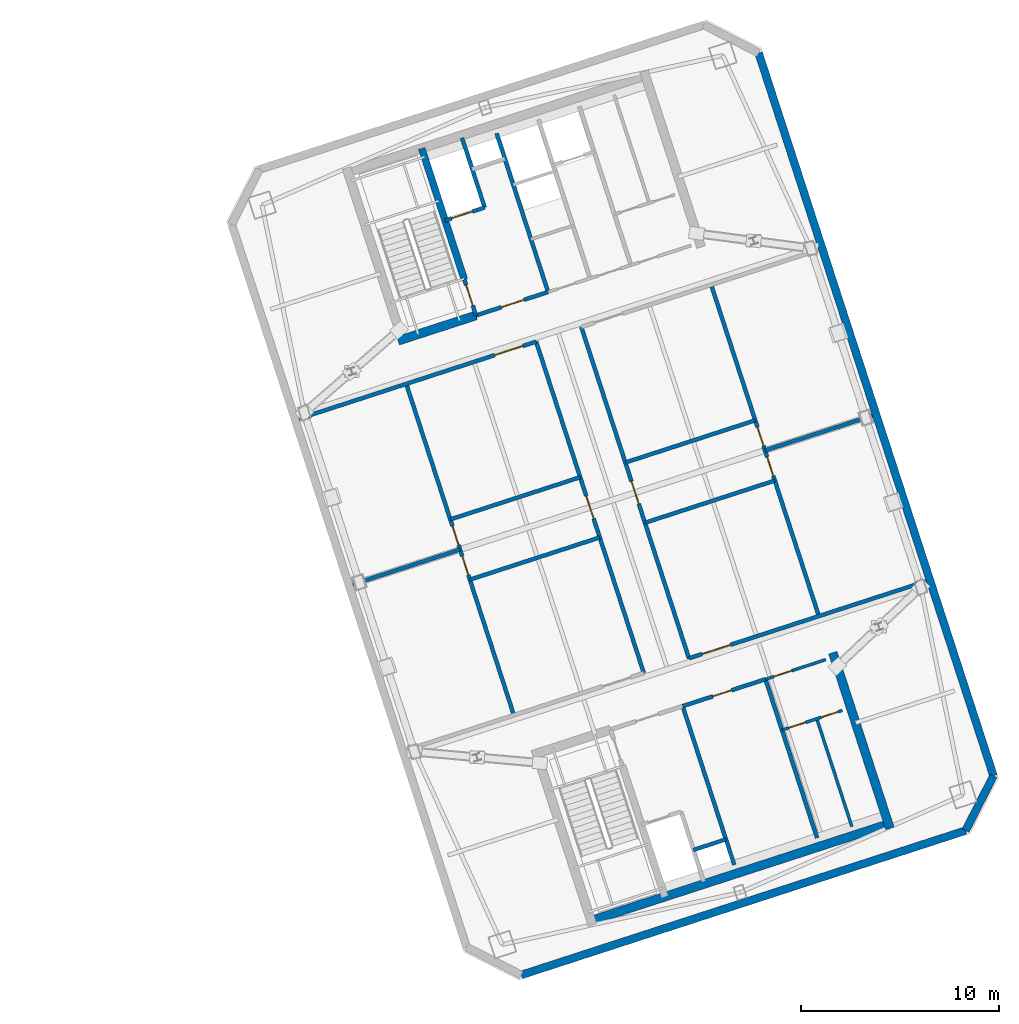
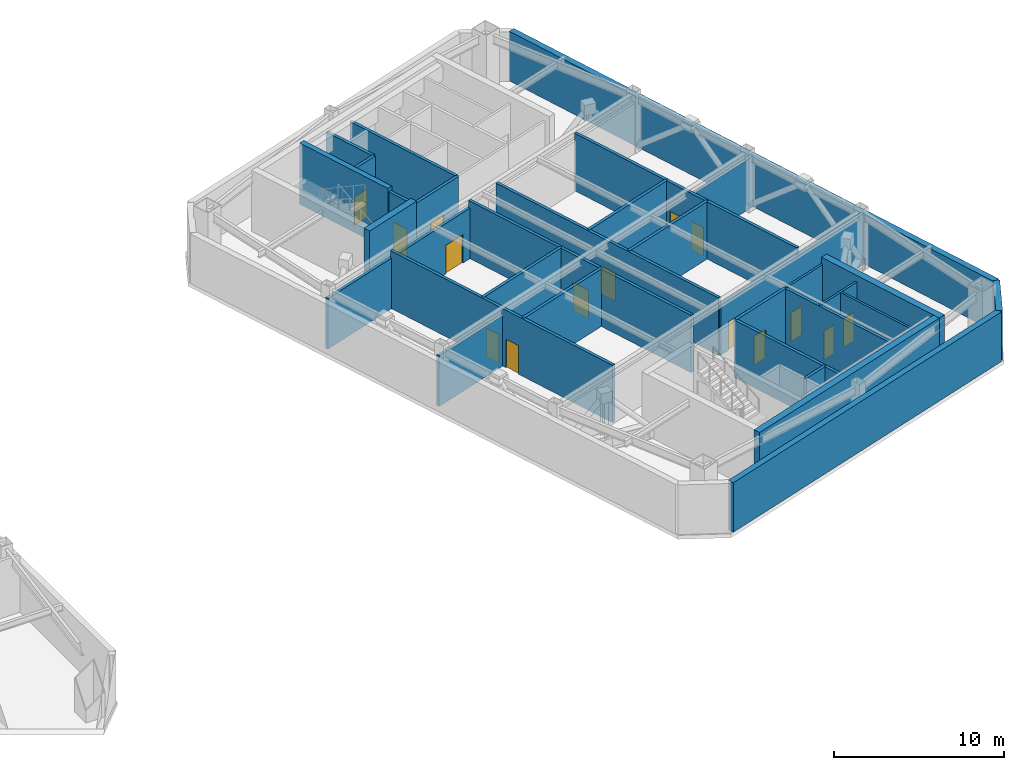
# One storey, part 13 of 17: 31 walls, 15 doors, 15 openings.
"""IFC4 building model written with IfcOpenShell, lengths in metres."""

from ifc_helpers import new_model, si_unit, direction, frame, frame_2d, origin, place, context, subcontext, project, spatial, rectangle, extrude, material, layer, layer_set, type_object, element, fill, save


model = new_model("IFC4")

# Units and contexts
model_context = context("Model", 3, precision=1e-05, world=origin(), true_north=direction((0.0, 1.0)))
body_context = subcontext(model_context, "Body", "Model", "MODEL_VIEW")
ifc_project = project(units=[si_unit("LENGTHUNIT", "METRE"), si_unit("AREAUNIT", "SQUARE_METRE"), si_unit("VOLUMEUNIT", "CUBIC_METRE"), si_unit("PLANEANGLEUNIT", "RADIAN"), si_unit("MASSUNIT", "GRAM", prefix="KILO")], contexts=[model_context])

# Site, building, storey
site_placement = place(None, origin())
site = spatial("IfcSite", under=ifc_project, at=site_placement, CompositionType="ELEMENT")
building_placement = place(site_placement, origin())
building = spatial("IfcBuilding", under=site, at=building_placement, Name="Qiaolan Cultural Towers", CompositionType="ELEMENT")
storey_placement = place(building_placement, frame((0.0, 0.0, 230.0)))
storey = spatial("IfcBuildingStorey", under=building, at=storey_placement, Name="L62", CompositionType="ELEMENT", Elevation=230.0)

# Walls
ifc_material_1 = material(Name="Concrete C50", Category="concrete")
ifc_layer_1 = layer(ifc_material_1, 0.35009765625)
ifc_layer_set_1 = layer_set([ifc_layer_1], Name="Concrete C50")
wall_type_1 = type_object("IfcWallType", Name="WL-CORE-350", PredefinedType="SHEAR", material=ifc_layer_set_1)
wall_1_placement = place(storey_placement, frame((82.513671875, 45.13134765625, 0.0), z_axis=(0.0, 0.0, 1.0), x_axis=(-0.308988790936, 0.951065679686, 0.0)))
element("IfcWall", 1, at=wall_1_placement, inside=storey, type_object=wall_type_1, Name="L62 T2-CN Stair Core Dividing Web", PredefinedType="SHEAR", context=body_context, shape_type="SweptSolid", body=[
    extrude(rectangle(XDim=6.97998046875, YDim=0.35009765625, at=frame_2d((3.489990234375, 0.0))), origin(), (0.0, 0.0, 1.0), 4.39990234375),
])
ifc_material_2 = material(Name="Concrete C50", Category="concrete")
ifc_layer_2 = layer(ifc_material_2, 0.449951171875)
ifc_layer_set_2 = layer_set([ifc_layer_2], Name="Concrete C50")
wall_type_2 = type_object("IfcWallType", Name="WL-CORE-450", PredefinedType="SHEAR", material=ifc_layer_set_2)
wall_2_placement = place(storey_placement, frame((88.701171875, 12.675048828125, 0.0), z_axis=(0.0, 0.0, 1.0), x_axis=(0.95105824505, 0.309011673763, 0.0)))
element("IfcWall", 2, at=wall_2_placement, inside=storey, type_object=wall_type_2, Name="L62 T2-CS Outer Core Shear Wall", PredefinedType="SHEAR", context=body_context, shape_type="SweptSolid", body=[
    extrude(rectangle(XDim=16.250244140625, YDim=0.449951171875, at=frame_2d((8.125, 0.0))), origin(), (0.0, 0.0, 1.0), 4.39990234375),
])
wall_3_placement = place(storey_placement, frame((101.12841796875, 26.286376953125, 0.0), z_axis=(0.0, 0.0, 1.0), x_axis=(0.309004419953, -0.951060601881, 0.0)))
element("IfcWall", 3, at=wall_3_placement, inside=storey, type_object=wall_type_2, Name="L62 T2-CS East Core Shear Wall", PredefinedType="SHEAR", context=body_context, shape_type="SweptSolid", body=[
    extrude(rectangle(XDim=9.330078125, YDim=0.449951171875, at=frame_2d((4.6650390625, 0.0))), origin(), (0.0, 0.0, 1.0), 4.39990234375),
])
wall_4_placement = place(storey_placement, frame((79.15869140625, 42.04345703125, 0.0), z_axis=(0.0, 0.0, 1.0), x_axis=(0.951047485828, 0.309044785913, 0.0)))
element("IfcWall", 4, at=wall_4_placement, inside=storey, type_object=wall_type_2, Name="L62 T2-CN Stair Front Shear Wall", PredefinedType="SHEAR", context=body_context, shape_type="SweptSolid", body=[
    extrude(rectangle(XDim=4.14501953125, YDim=0.449951171875, at=frame_2d((2.072509765625, 0.0))), origin(), (0.0, 0.0, 1.0), 4.39990234375),
])
ifc_material_3 = material(Name="Precast Concrete C50 Honed Stone Pier", Category="masonry")
ifc_layer_3 = layer(ifc_material_3, 0.39990234375)
ifc_layer_set_3 = layer_set([ifc_layer_3], Name="Precast Concrete C50 Honed Stone Pier")
wall_type_3 = type_object("IfcWallType", Name="WL-EXT-PIER-400", PredefinedType="SOLIDWALL", material=ifc_layer_set_3)
wall_5_placement = place(storey_placement, frame((97.381591796875, 56.58642578125, 0.0), z_axis=(0.0, 0.0, 1.0), x_axis=(0.309016491071, -0.951056679828, 0.0)))
element("IfcWall", 5, at=wall_5_placement, inside=storey, type_object=wall_type_3, Name="L62 East Tower Precast Pier Facade Wall F5", PredefinedType="SOLIDWALL", context=body_context, shape_type="SweptSolid", body=[
    extrude(rectangle(XDim=38.39990234375, YDim=0.39990234375, at=frame_2d((19.199951171875, 0.0))), origin(), (0.0, 0.0, 1.0), 3.56005859375),
])
wall_6_placement = place(storey_placement, frame((109.247802734375, 20.06591796875, 0.0), z_axis=(0.0, 0.0, 1.0), x_axis=(-0.453949291228, -0.891027519774, 0.0)))
element("IfcWall", 6, at=wall_6_placement, inside=storey, type_object=wall_type_3, Name="L62 East Tower Precast Pier Facade Wall F6", PredefinedType="SOLIDWALL", context=body_context, shape_type="SweptSolid", body=[
    extrude(rectangle(XDim=3.111328125, YDim=0.39990234375, at=frame_2d((1.5556640625, 0.0))), origin(), (0.0, 0.0, 1.0), 3.56005859375),
])
wall_7_placement = place(storey_placement, frame((107.83544921875, 17.293701171875, 0.0), z_axis=(0.0, 0.0, 1.0), x_axis=(-0.951058012937, -0.309012388148, 0.0)))
element("IfcWall", 7, at=wall_7_placement, inside=storey, type_object=wall_type_3, Name="L62 East Tower Precast Pier Facade Wall F7", PredefinedType="SOLIDWALL", context=body_context, shape_type="SweptSolid", body=[
    extrude(rectangle(XDim=23.60009765625, YDim=0.39990234375, at=frame_2d((11.800048828125, 0.0))), origin(), (0.0, 0.0, 1.0), 3.56005859375),
])
ifc_material_4 = material(Name="Concrete C35 Fire Wall", Category="concrete")
ifc_layer_4 = layer(ifc_material_4, 0.199951171875)
ifc_layer_set_4 = layer_set([ifc_layer_4], Name="Concrete C35 Fire Wall")
wall_type_4 = type_object("IfcWallType", Name="WL-FIRE-200", PredefinedType="PARTITIONING", material=ifc_layer_set_4)
wall_8_placement = place(storey_placement, frame((93.541748046875, 23.584716796875, 0.0), z_axis=(0.0, 0.0, 1.0), x_axis=(0.309042196757, -0.951048327176, 0.0)))
element("IfcWall", 8, at=wall_8_placement, inside=storey, type_object=wall_type_4, Name="L62 T2-CS Firefighting Zone Wall", PredefinedType="PARTITIONING", context=body_context, shape_type="SweptSolid", body=[
    extrude(rectangle(XDim=8.429931640625, YDim=0.199951171875, at=frame_2d((4.21484375, 0.0))), origin(), (0.0, 0.0, 1.0), 4.125),
])
wall_9_placement = place(storey_placement, frame((94.08447265625, 16.316650390625, 0.0), z_axis=(0.0, 0.0, 1.0), x_axis=(0.951041328149, 0.309063734775, 0.0)))
element("IfcWall", 9, at=wall_9_placement, inside=storey, type_object=wall_type_4, Name="L62 T2-CS Pressurization Shaft Front Wall", PredefinedType="PARTITIONING", context=body_context, shape_type="SweptSolid", body=[
    extrude(rectangle(XDim=1.72998046875, YDim=0.199951171875, at=frame_2d((0.864990234375, 0.0))), origin(), (0.0, 0.0, 1.0), 4.125),
])
wall_10_placement = place(storey_placement, frame((97.7265625, 24.9443359375, 0.0), z_axis=(0.0, 0.0, 1.0), x_axis=(0.309016001439, -0.951056838919, 0.0)))
element("IfcWall", 10, at=wall_10_placement, inside=storey, type_object=wall_type_4, Name="L62 T2-CS Lift Core East Wall", PredefinedType="PARTITIONING", context=body_context, shape_type="SweptSolid", body=[
    extrude(rectangle(XDim=8.429931640625, YDim=0.199951171875, at=frame_2d((4.21484375, 0.0))), origin(), (0.0, 0.0, 1.0), 4.125),
])

# Wall, opening, door
wall_11_placement = place(storey_placement, frame((93.541748046875, 23.584716796875, 0.0), z_axis=(0.0, 0.0, 1.0), x_axis=(0.951063829732, 0.308994485023, 0.0)))
wall_11 = element("IfcWall", 11, at=wall_11_placement, inside=storey, type_object=wall_type_4, Name="L62 T2-CS Refuge Core Riser Wall", PredefinedType="PARTITIONING", context=body_context, shape_type="SweptSolid", body=[
    extrude(rectangle(XDim=4.400146484375, YDim=0.199951171875, at=frame_2d((2.2001953125, 0.0))), origin(), (0.0, 0.0, 1.0), 4.125),
])
opening_1_placement = place(wall_11_placement, frame((1.60009765625, 0.0, 0.0)))
opening_1 = element("IfcOpeningElement", 12, at=opening_1_placement, cuts=wall_11, Name="Opening FD-07", PredefinedType="OPENING", context=body_context, shape_type="SweptSolid", body=[
    extrude(rectangle(XDim=1.0, YDim=2.050048828125, at=frame_2d((0.5, 1.02490234375))), frame((0.0, 0.10986328125, 0.0), z_axis=(0.0, -1.0, 0.0), x_axis=(1.0, 0.0, 0.0)), (0.0, 0.0, 1.0), 0.219970703125),
])
ifc_material_5 = material(Name="Painted Steel Riser Fire Door", Category="steel")
door_type_1 = type_object("IfcDoorType", Name="DR-FD60-1000", OperationType="NOTDEFINED", PredefinedType="DOOR", material=ifc_material_5)
door_1_placement = place(opening_1_placement, origin())
door_1 = element("IfcDoor", 13, at=door_1_placement, inside=storey, type_object=door_type_1, Name="L62 Core Plant Room Door", OperationType="SINGLE_SWING_LEFT", OverallHeight=2.050048828125, OverallWidth=1.0, PredefinedType="DOOR", context=body_context, shape_type="SweptSolid", body=[
    extrude(rectangle(XDim=1.0, YDim=2.050048828125, at=frame_2d((0.5, 1.02490234375))), frame((0.0, 0.02490234375, 0.0), z_axis=(0.0, -1.0, 0.0), x_axis=(1.0, 0.0, 0.0)), (0.0, 0.0, 1.0), 0.050048828125),
])
fill(opening_1, door_1)

wall_12_placement = place(storey_placement, frame((83.100830078125, 43.324462890625, 0.0), z_axis=(0.0, 0.0, 1.0), x_axis=(-0.309048298632, 0.951046344356, 0.0)))
wall_12 = element("IfcWall", 14, at=wall_12_placement, inside=storey, type_object=wall_type_4, Name="L62 T2-CN Smokeproof Stair Entry Wall", PredefinedType="PARTITIONING", context=body_context, shape_type="SweptSolid", body=[
    extrude(rectangle(XDim=1.89990234375, YDim=0.199951171875, at=frame_2d((0.949951171875, 0.0))), origin(), (0.0, 0.0, 1.0), 4.125),
])
opening_2_placement = place(wall_12_placement, frame((0.52001953125, 0.0, 0.0)))
opening_2 = element("IfcOpeningElement", 15, at=opening_2_placement, cuts=wall_12, Name="Opening FD-04", PredefinedType="OPENING", context=body_context, shape_type="SweptSolid", body=[
    extrude(rectangle(XDim=1.10009765625, YDim=2.050048828125, at=frame_2d((0.550048828125, 1.02490234375))), frame((0.0, 0.10986328125, 0.0), z_axis=(0.0, -1.0, 0.0), x_axis=(1.0, 0.0, 0.0)), (0.0, 0.0, 1.0), 0.219970703125),
])
ifc_material_6 = material(Name="Galvanized Steel Command Fire Door", Category="steel")
door_type_2 = type_object("IfcDoorType", Name="DR-FD90-1100", OperationType="NOTDEFINED", PredefinedType="DOOR", material=ifc_material_6)
door_2_placement = place(opening_2_placement, origin())
door_2 = element("IfcDoor", 16, at=door_2_placement, inside=storey, type_object=door_type_2, Name="L62 ST-E2 Smokeproof Stair Fire Door", OperationType="SINGLE_SWING_LEFT", OverallHeight=2.050048828125, OverallWidth=1.10009765625, PredefinedType="DOOR", context=body_context, shape_type="SweptSolid", body=[
    extrude(rectangle(XDim=1.10009765625, YDim=2.050048828125, at=frame_2d((0.550048828125, 1.02490234375))), frame((0.0, 0.02490234375, 0.0), z_axis=(0.0, -1.0, 0.0), x_axis=(1.0, 0.0, 0.0)), (0.0, 0.0, 1.0), 0.050048828125),
])
fill(opening_2, door_2)

# Wall
wall_13_placement = place(storey_placement, frame((86.743408203125, 44.508056640625, 0.0), z_axis=(0.0, 0.0, 1.0), x_axis=(-0.309016001439, 0.951056838919, 0.0)))
element("IfcWall", 17, at=wall_13_placement, inside=storey, type_object=wall_type_4, Name="L62 T2-CN Firefighting Zone Wall", PredefinedType="PARTITIONING", context=body_context, shape_type="SweptSolid", body=[
    extrude(rectangle(XDim=8.429931640625, YDim=0.199951171875, at=frame_2d((4.21484375, 0.0))), origin(), (0.0, 0.0, 1.0), 4.125),
])

# Wall, opening, door
wall_14_placement = place(storey_placement, frame((83.100830078125, 43.324462890625, 0.0), z_axis=(0.0, 0.0, 1.0), x_axis=(0.951052804469, 0.309028417967, 0.0)))
wall_14 = element("IfcWall", 18, at=wall_14_placement, inside=storey, type_object=wall_type_4, Name="L62 T2-CN Firefighting Lobby Front Wall", PredefinedType="PARTITIONING", context=body_context, shape_type="SweptSolid", body=[
    extrude(rectangle(XDim=3.830078125, YDim=0.199951171875, at=frame_2d((1.9150390625, 0.0))), origin(), (0.0, 0.0, 1.0), 4.125),
])
opening_3_placement = place(wall_14_placement, frame((1.35009765625, 0.0, 0.0)))
opening_3 = element("IfcOpeningElement", 19, at=opening_3_placement, cuts=wall_14, Name="Opening FD-03", PredefinedType="OPENING", context=body_context, shape_type="SweptSolid", body=[
    extrude(rectangle(XDim=1.199951171875, YDim=2.050048828125, at=frame_2d((0.60009765625, 1.02490234375))), frame((0.0, 0.10986328125, 0.0), z_axis=(0.0, -1.0, 0.0), x_axis=(1.0, 0.0, 0.0)), (0.0, 0.0, 1.0), 0.219970703125),
])
ifc_material_7 = material(Name="Galvanized Steel Smokeproof Lobby Fire Door", Category="steel")
door_type_3 = type_object("IfcDoorType", Name="DR-FD90-1200", OperationType="NOTDEFINED", PredefinedType="DOOR", material=ifc_material_7)
door_3_placement = place(opening_3_placement, origin())
door_3 = element("IfcDoor", 20, at=door_3_placement, inside=storey, type_object=door_type_3, Name="L62 FFL-E2 Firefighting Lobby Fire Door", OperationType="SINGLE_SWING_LEFT", OverallHeight=2.050048828125, OverallWidth=1.199951171875, PredefinedType="DOOR", context=body_context, shape_type="SweptSolid", body=[
    extrude(rectangle(XDim=1.199951171875, YDim=2.050048828125, at=frame_2d((0.60009765625, 1.02490234375))), frame((0.0, 0.02490234375, 0.0), z_axis=(0.0, -1.0, 0.0), x_axis=(1.0, 0.0, 0.0)), (0.0, 0.0, 1.0), 0.050048828125),
])
fill(opening_3, door_3)

wall_15_placement = place(storey_placement, frame((81.540283203125, 48.127197265625, 0.0), z_axis=(0.0, 0.0, 1.0), x_axis=(0.951062257173, 0.308999325213, 0.0)))
wall_15 = element("IfcWall", 21, at=wall_15_placement, inside=storey, type_object=wall_type_4, Name="L62 T2-CN Firefighting Shaft Front Wall", PredefinedType="PARTITIONING", context=body_context, shape_type="SweptSolid", body=[
    extrude(rectangle(XDim=2.10009765625, YDim=0.199951171875, at=frame_2d((1.050048828125, 0.0))), origin(), (0.0, 0.0, 1.0), 4.125),
])
opening_4_placement = place(wall_15_placement, frame((0.35009765625, 0.0, 0.0)))
opening_4 = element("IfcOpeningElement", 22, at=opening_4_placement, cuts=wall_15, Name="Opening LD-01", PredefinedType="OPENING", context=body_context, shape_type="SweptSolid", body=[
    extrude(rectangle(XDim=1.10009765625, YDim=2.050048828125, at=frame_2d((0.550048828125, 1.02490234375))), frame((0.0, 0.10986328125, 0.0), z_axis=(0.0, -1.0, 0.0), x_axis=(1.0, 0.0, 0.0)), (0.0, 0.0, 1.0), 0.219970703125),
])
ifc_material_8 = material(Name="Brushed Stainless Steel S30408 Centre-Parting Lift Landing Door", Category="steel")
door_type_4 = type_object("IfcDoorType", Name="DR-LIFT-1100", OperationType="NOTDEFINED", PredefinedType="DOOR", material=ifc_material_8)
door_4_placement = place(opening_4_placement, origin())
door_4 = element("IfcDoor", 23, at=door_4_placement, inside=storey, type_object=door_type_4, Name="L62 FFL-E2 Firefighting Lift Landing Door", OperationType="DOUBLE_DOOR_SLIDING", OverallHeight=2.050048828125, OverallWidth=1.10009765625, PredefinedType="DOOR", context=body_context, shape_type="SweptSolid", body=[
    extrude(rectangle(XDim=1.10009765625, YDim=2.050048828125, at=frame_2d((0.550048828125, 1.02490234375))), frame((0.0, 0.02490234375, 0.0), z_axis=(0.0, -1.0, 0.0), x_axis=(1.0, 0.0, 0.0)), (0.0, 0.0, 1.0), 0.050048828125),
])
fill(opening_4, door_4)

# Wall
wall_16_placement = place(storey_placement, frame((83.53759765625, 48.776123046875, 0.0), z_axis=(0.0, 0.0, 1.0), x_axis=(-0.3089935693, 0.951064127245, 0.0)))
element("IfcWall", 24, at=wall_16_placement, inside=storey, type_object=wall_type_4, Name="L62 T2-CN Firefighting Hoistway East Wall", PredefinedType="PARTITIONING", context=body_context, shape_type="SweptSolid", body=[
    extrude(rectangle(XDim=3.7001953125, YDim=0.199951171875, at=frame_2d((1.85009765625, 0.0))), origin(), (0.0, 0.0, 1.0), 4.125),
])

# Wall, opening, door
wall_17_placement = place(storey_placement, frame((93.860595703125, 26.00146484375, 0.0), z_axis=(0.0, 0.0, 1.0), x_axis=(0.951058557014, 0.309010713619, 0.0)))
wall_17 = element("IfcWall", 25, at=wall_17_placement, inside=storey, type_object=wall_type_4, Name="L62 T2 Fire Rated Plant/Refuge Wall SBE", PredefinedType="PARTITIONING", context=body_context, shape_type="SweptSolid", body=[
    extrude(rectangle(XDim=12.60009765625, YDim=0.199951171875, at=frame_2d((6.300048828125, 0.0))), origin(), (0.0, 0.0, 1.0), 3.626953125),
])
opening_5_placement = place(wall_17_placement, frame((0.699951171875, 0.0, 0.0)))
opening_5 = element("IfcOpeningElement", 26, at=opening_5_placement, cuts=wall_17, Name="Opening FD-02", PredefinedType="OPENING", context=body_context, shape_type="SweptSolid", body=[
    extrude(rectangle(XDim=1.5, YDim=2.050048828125, at=frame_2d((0.75, 1.02490234375))), frame((0.0, 0.10986328125, 0.0), z_axis=(0.0, -1.0, 0.0), x_axis=(1.0, 0.0, 0.0)), (0.0, 0.0, 1.0), 0.219970703125),
])
ifc_material_9 = material(Name="Galvanized Steel Double Fire Door", Category="steel")
door_type_5 = type_object("IfcDoorType", Name="DR-FD90-1500", OperationType="NOTDEFINED", PredefinedType="DOOR", material=ifc_material_9)
door_5_placement = place(opening_5_placement, origin())
door_5 = element("IfcDoor", 27, at=door_5_placement, inside=storey, type_object=door_type_5, Name="L62 T2 East South Refuge Fire Door", OperationType="SINGLE_SWING_RIGHT", OverallHeight=2.050048828125, OverallWidth=1.5, PredefinedType="DOOR", context=body_context, shape_type="SweptSolid", body=[
    extrude(rectangle(XDim=1.5, YDim=2.050048828125, at=frame_2d((0.75, 1.02490234375))), frame((0.0, 0.02490234375, 0.0), z_axis=(0.0, -1.0, 0.0), x_axis=(1.0, 0.0, 0.0)), (0.0, 0.0, 1.0), 0.050048828125),
])
fill(opening_5, door_5)

wall_18_placement = place(storey_placement, frame((74.156005859375, 38.10498046875, 0.0), z_axis=(0.0, 0.0, 1.0), x_axis=(0.951058557014, 0.309010713619, 0.0)))
wall_18 = element("IfcWall", 28, at=wall_18_placement, inside=storey, type_object=wall_type_4, Name="L62 T2 Fire Rated Plant/Refuge Wall NBW", PredefinedType="PARTITIONING", context=body_context, shape_type="SweptSolid", body=[
    extrude(rectangle(XDim=12.60009765625, YDim=0.199951171875, at=frame_2d((6.300048828125, 0.0))), origin(), (0.0, 0.0, 1.0), 3.626953125),
])
opening_6_placement = place(wall_18_placement, frame((10.39990234375, 0.0, 0.0)))
opening_6 = element("IfcOpeningElement", 29, at=opening_6_placement, cuts=wall_18, Name="Opening FD-02", PredefinedType="OPENING", context=body_context, shape_type="SweptSolid", body=[
    extrude(rectangle(XDim=1.5, YDim=2.050048828125, at=frame_2d((0.75, 1.02490234375))), frame((0.0, 0.10986328125, 0.0), z_axis=(0.0, -1.0, 0.0), x_axis=(1.0, 0.0, 0.0)), (0.0, 0.0, 1.0), 0.219970703125),
])
door_6_placement = place(opening_6_placement, origin())
door_6 = element("IfcDoor", 30, at=door_6_placement, inside=storey, type_object=door_type_5, Name="L62 T2 West North Refuge Fire Door", OperationType="SINGLE_SWING_LEFT", OverallHeight=2.050048828125, OverallWidth=1.5, PredefinedType="DOOR", context=body_context, shape_type="SweptSolid", body=[
    extrude(rectangle(XDim=1.5, YDim=2.050048828125, at=frame_2d((0.75, 1.02490234375))), frame((0.0, 0.02490234375, 0.0), z_axis=(0.0, -1.0, 0.0), x_axis=(1.0, 0.0, 0.0)), (0.0, 0.0, 1.0), 0.050048828125),
])
fill(opening_6, door_6)

wall_19_placement = place(storey_placement, frame((91.578125, 25.259765625, 0.0), z_axis=(0.0, 0.0, 1.0), x_axis=(-0.30901518495, 0.951057104211, 0.0)))
wall_19 = element("IfcWall", 31, at=wall_19_placement, inside=storey, type_object=wall_type_4, Name="L62 T2 Fire Rated Plant/Refuge Wall CL", PredefinedType="PARTITIONING", context=body_context, shape_type="SweptSolid", body=[
    extrude(rectangle(XDim=17.60009765625, YDim=0.199951171875, at=frame_2d((8.800048828125, 0.0))), origin(), (0.0, 0.0, 1.0), 4.125),
])
opening_7_placement = place(wall_19_placement, frame((8.199951171875, 0.0, 0.0)))
opening_7 = element("IfcOpeningElement", 32, at=opening_7_placement, cuts=wall_19, Name="Opening FD-03", PredefinedType="OPENING", context=body_context, shape_type="SweptSolid", body=[
    extrude(rectangle(XDim=1.199951171875, YDim=2.050048828125, at=frame_2d((0.60009765625, 1.02490234375))), frame((0.0, 0.10986328125, 0.0), z_axis=(0.0, -1.0, 0.0), x_axis=(1.0, 0.0, 0.0)), (0.0, 0.0, 1.0), 0.219970703125),
])
door_7_placement = place(opening_7_placement, origin())
door_7 = element("IfcDoor", 33, at=door_7_placement, inside=storey, type_object=door_type_3, Name="L62 T2 West Plant Passage Door", OperationType="SINGLE_SWING_LEFT", OverallHeight=2.050048828125, OverallWidth=1.199951171875, PredefinedType="DOOR", context=body_context, shape_type="SweptSolid", body=[
    extrude(rectangle(XDim=1.199951171875, YDim=2.050048828125, at=frame_2d((0.60009765625, 1.02490234375))), frame((0.0, 0.02490234375, 0.0), z_axis=(0.0, -1.0, 0.0), x_axis=(1.0, 0.0, 0.0)), (0.0, 0.0, 1.0), 0.050048828125),
])
fill(opening_7, door_7)

wall_20_placement = place(storey_placement, frame((93.860595703125, 26.00146484375, 0.0), z_axis=(0.0, 0.0, 1.0), x_axis=(-0.30901518495, 0.951057104211, 0.0)))
wall_20 = element("IfcWall", 34, at=wall_20_placement, inside=storey, type_object=wall_type_4, Name="L62 T2 Fire Rated Plant/Refuge Wall CR", PredefinedType="PARTITIONING", context=body_context, shape_type="SweptSolid", body=[
    extrude(rectangle(XDim=17.60009765625, YDim=0.199951171875, at=frame_2d((8.800048828125, 0.0))), origin(), (0.0, 0.0, 1.0), 4.125),
])
opening_8_placement = place(wall_20_placement, frame((8.199951171875, 0.0, 0.0)))
opening_8 = element("IfcOpeningElement", 35, at=opening_8_placement, cuts=wall_20, Name="Opening FD-03", PredefinedType="OPENING", context=body_context, shape_type="SweptSolid", body=[
    extrude(rectangle(XDim=1.199951171875, YDim=2.050048828125, at=frame_2d((0.60009765625, 1.02490234375))), frame((0.0, 0.10986328125, 0.0), z_axis=(0.0, -1.0, 0.0), x_axis=(1.0, 0.0, 0.0)), (0.0, 0.0, 1.0), 0.219970703125),
])
door_8_placement = place(opening_8_placement, origin())
door_8 = element("IfcDoor", 36, at=door_8_placement, inside=storey, type_object=door_type_3, Name="L62 T2 East Plant Passage Door", OperationType="SINGLE_SWING_RIGHT", OverallHeight=2.050048828125, OverallWidth=1.199951171875, PredefinedType="DOOR", context=body_context, shape_type="SweptSolid", body=[
    extrude(rectangle(XDim=1.199951171875, YDim=2.050048828125, at=frame_2d((0.60009765625, 1.02490234375))), frame((0.0, 0.02490234375, 0.0), z_axis=(0.0, -1.0, 0.0), x_axis=(1.0, 0.0, 0.0)), (0.0, 0.0, 1.0), 0.050048828125),
])
fill(opening_8, door_8)

# Wall, openings, doors
wall_21_placement = place(storey_placement, frame((85.015869140625, 23.127685546875, 0.0), z_axis=(0.0, 0.0, 1.0), x_axis=(-0.309019261708, 0.951055779591, 0.0)))
wall_21 = element("IfcWall", 37, at=wall_21_placement, inside=storey, type_object=wall_type_4, Name="L62 T2 Fire Rated Plant/Refuge Wall WL", PredefinedType="PARTITIONING", context=body_context, shape_type="SweptSolid", body=[
    extrude(rectangle(XDim=17.599853515625, YDim=0.199951171875, at=frame_2d((8.7998046875, 0.0))), origin(), (0.0, 0.0, 1.0), 4.125),
])
opening_9_placement = place(wall_21_placement, frame((7.449951171875, 0.0, 0.0)))
opening_9 = element("IfcOpeningElement", 38, at=opening_9_placement, cuts=wall_21, Name="Opening FD-07", PredefinedType="OPENING", context=body_context, shape_type="SweptSolid", body=[
    extrude(rectangle(XDim=1.0, YDim=2.050048828125, at=frame_2d((0.5, 1.02490234375))), frame((0.0, 0.10986328125, 0.0), z_axis=(0.0, -1.0, 0.0), x_axis=(1.0, 0.0, 0.0)), (0.0, 0.0, 1.0), 0.219970703125),
])
opening_10_placement = place(wall_21_placement, frame((9.050048828125, 0.0, 0.0)))
opening_10 = element("IfcOpeningElement", 39, at=opening_10_placement, cuts=wall_21, Name="Opening FD-07", PredefinedType="OPENING", context=body_context, shape_type="SweptSolid", body=[
    extrude(rectangle(XDim=1.0, YDim=2.050048828125, at=frame_2d((0.5, 1.02490234375))), frame((0.0, 0.10986328125, 0.0), z_axis=(0.0, -1.0, 0.0), x_axis=(1.0, 0.0, 0.0)), (0.0, 0.0, 1.0), 0.219970703125),
])
door_9_placement = place(opening_9_placement, origin())
door_9 = element("IfcDoor", 40, at=door_9_placement, inside=storey, type_object=door_type_1, Name="L62 T2 West Chiller Plant Door", OperationType="SINGLE_SWING_LEFT", OverallHeight=2.050048828125, OverallWidth=1.0, PredefinedType="DOOR", context=body_context, shape_type="SweptSolid", body=[
    extrude(rectangle(XDim=1.0, YDim=2.050048828125, at=frame_2d((0.5, 1.02490234375))), frame((0.0, 0.02490234375, 0.0), z_axis=(0.0, -1.0, 0.0), x_axis=(1.0, 0.0, 0.0)), (0.0, 0.0, 1.0), 0.050048828125),
])
fill(opening_9, door_9)
door_10_placement = place(opening_10_placement, origin())
door_10 = element("IfcDoor", 41, at=door_10_placement, inside=storey, type_object=door_type_1, Name="L62 T2 West Fire Water Pump Plant Door", OperationType="SINGLE_SWING_RIGHT", OverallHeight=2.050048828125, OverallWidth=1.0, PredefinedType="DOOR", context=body_context, shape_type="SweptSolid", body=[
    extrude(rectangle(XDim=1.0, YDim=2.050048828125, at=frame_2d((0.5, 1.02490234375))), frame((0.0, 0.02490234375, 0.0), z_axis=(0.0, -1.0, 0.0), x_axis=(1.0, 0.0, 0.0)), (0.0, 0.0, 1.0), 0.050048828125),
])
fill(opening_10, door_10)

wall_22_placement = place(storey_placement, frame((100.4228515625, 28.1337890625, 0.0), z_axis=(0.0, 0.0, 1.0), x_axis=(-0.309019261708, 0.951055779591, 0.0)))
wall_22 = element("IfcWall", 42, at=wall_22_placement, inside=storey, type_object=wall_type_4, Name="L62 T2 Fire Rated Plant/Refuge Wall ER", PredefinedType="PARTITIONING", context=body_context, shape_type="SweptSolid", body=[
    extrude(rectangle(XDim=17.599853515625, YDim=0.199951171875, at=frame_2d((8.7998046875, 0.0))), origin(), (0.0, 0.0, 1.0), 4.125),
])
opening_11_placement = place(wall_22_placement, frame((7.449951171875, 0.0, 0.0)))
opening_11 = element("IfcOpeningElement", 43, at=opening_11_placement, cuts=wall_22, Name="Opening FD-07", PredefinedType="OPENING", context=body_context, shape_type="SweptSolid", body=[
    extrude(rectangle(XDim=1.0, YDim=2.050048828125, at=frame_2d((0.5, 1.02490234375))), frame((0.0, 0.10986328125, 0.0), z_axis=(0.0, -1.0, 0.0), x_axis=(1.0, 0.0, 0.0)), (0.0, 0.0, 1.0), 0.219970703125),
])
opening_12_placement = place(wall_22_placement, frame((9.050048828125, 0.0, 0.0)))
opening_12 = element("IfcOpeningElement", 44, at=opening_12_placement, cuts=wall_22, Name="Opening FD-07", PredefinedType="OPENING", context=body_context, shape_type="SweptSolid", body=[
    extrude(rectangle(XDim=1.0, YDim=2.050048828125, at=frame_2d((0.5, 1.02490234375))), frame((0.0, 0.10986328125, 0.0), z_axis=(0.0, -1.0, 0.0), x_axis=(1.0, 0.0, 0.0)), (0.0, 0.0, 1.0), 0.219970703125),
])
door_11_placement = place(opening_11_placement, origin())
door_11 = element("IfcDoor", 45, at=door_11_placement, inside=storey, type_object=door_type_1, Name="L62 T2 East AHU Plant Door", OperationType="SINGLE_SWING_LEFT", OverallHeight=2.050048828125, OverallWidth=1.0, PredefinedType="DOOR", context=body_context, shape_type="SweptSolid", body=[
    extrude(rectangle(XDim=1.0, YDim=2.050048828125, at=frame_2d((0.5, 1.02490234375))), frame((0.0, 0.02490234375, 0.0), z_axis=(0.0, -1.0, 0.0), x_axis=(1.0, 0.0, 0.0)), (0.0, 0.0, 1.0), 0.050048828125),
])
fill(opening_11, door_11)
door_12_placement = place(opening_12_placement, origin())
door_12 = element("IfcDoor", 46, at=door_12_placement, inside=storey, type_object=door_type_1, Name="L62 T2 East Electrical Substation Door", OperationType="SINGLE_SWING_RIGHT", OverallHeight=2.050048828125, OverallWidth=1.0, PredefinedType="DOOR", context=body_context, shape_type="SweptSolid", body=[
    extrude(rectangle(XDim=1.0, YDim=2.050048828125, at=frame_2d((0.5, 1.02490234375))), frame((0.0, 0.02490234375, 0.0), z_axis=(0.0, -1.0, 0.0), x_axis=(1.0, 0.0, 0.0)), (0.0, 0.0, 1.0), 0.050048828125),
])
fill(opening_12, door_12)

# Walls
for number, where, z_axis, x_axis, name in (
    (47, (76.87548828125, 29.735595703125, 0.0), (0.0, 0.0, 1.0), (0.951050435231, 0.30903570934, 0.0), "L62 T2 Fire Rated Plant/Refuge Wall WMID"),
    (48, (97.70361328125, 36.5029296875, 0.0), (0.0, 0.0, 1.0), (0.951050435231, 0.30903570934, 0.0), "L62 T2 Fire Rated Plant/Refuge Wall EMID"),
):
    element("IfcWall", number, at=place(storey_placement, frame(where, z_axis=z_axis, x_axis=x_axis)), inside=storey, type_object=wall_type_4, Name=name, PredefinedType="PARTITIONING", context=body_context, shape_type="SweptSolid", body=[
        extrude(rectangle(XDim=5.699951171875, YDim=0.199951171875, at=frame_2d((2.85009765625, 0.0))), origin(), (0.0, 0.0, 1.0), 3.626953125),
    ])
wall_23_placement = place(storey_placement, frame((82.790771484375, 29.975341796875, 0.0), z_axis=(0.0, 0.0, 1.0), x_axis=(0.951065265554, 0.308990065628, 0.0)))
element("IfcWall", 49, at=wall_23_placement, inside=storey, type_object=wall_type_4, Name="L62 T2 Fire Rated Plant/Refuge Wall SVS-WL", PredefinedType="PARTITIONING", context=body_context, shape_type="SweptSolid", body=[
    extrude(rectangle(XDim=6.900146484375, YDim=0.199951171875, at=frame_2d((3.4501953125, 0.0))), origin(), (0.0, 0.0, 1.0), 4.125),
])
for number, where, z_axis, x_axis, name in (
    (50, (81.802001953125, 33.0185546875, 0.0), (0.0, 0.0, 1.0), (0.951051488548, 0.309032467762, 0.0), "L62 T2 Fire Rated Plant/Refuge Wall SVS-NL"),
    (51, (91.6357421875, 32.84912109375, 0.0), (0.0, 0.0, 1.0), (0.951051488548, 0.309032467762, 0.0), "L62 T2 Fire Rated Plant/Refuge Wall SVS-WR"),
):
    element("IfcWall", number, at=place(storey_placement, frame(where, z_axis=z_axis, x_axis=x_axis)), inside=storey, type_object=wall_type_4, Name=name, PredefinedType="PARTITIONING", context=body_context, shape_type="SweptSolid", body=[
        extrude(rectangle(XDim=6.89990234375, YDim=0.199951171875, at=frame_2d((3.449951171875, 0.0))), origin(), (0.0, 0.0, 1.0), 4.125),
    ])
wall_24_placement = place(storey_placement, frame((90.646728515625, 35.892578125, 0.0), z_axis=(0.0, 0.0, 1.0), x_axis=(0.951065265554, 0.308990065628, 0.0)))
element("IfcWall", 52, at=wall_24_placement, inside=storey, type_object=wall_type_4, Name="L62 T2 Fire Rated Plant/Refuge Wall SVS-NR", PredefinedType="PARTITIONING", context=body_context, shape_type="SweptSolid", body=[
    extrude(rectangle(XDim=6.900146484375, YDim=0.199951171875, at=frame_2d((3.4501953125, 0.0))), origin(), (0.0, 0.0, 1.0), 4.125),
])

# Wall, opening, door
ifc_material_10 = material(Name="Autoclaved Aerated Concrete Block B06", Category="concrete")
ifc_layer_5 = layer(ifc_material_10, 0.14990234375)
ifc_layer_set_5 = layer_set([ifc_layer_5], Name="Autoclaved Aerated Concrete Block B06")
wall_type_5 = type_object("IfcWallType", Name="WL-PART-150", PredefinedType="PARTITIONING", material=ifc_layer_set_5)
wall_25_placement = place(storey_placement, frame((97.7265625, 24.9443359375, 0.0), z_axis=(0.0, 0.0, 1.0), x_axis=(0.951036872128, 0.309077446369, 0.0)))
wall_25 = element("IfcWall", 53, at=wall_25_placement, inside=storey, type_object=wall_type_5, Name="L62 T2-CS Sanitary Core Front Wall", PredefinedType="PARTITIONING", context=body_context, shape_type="SweptSolid", body=[
    extrude(rectangle(XDim=3.199951171875, YDim=0.14990234375, at=frame_2d((1.60009765625, 0.0))), origin(), (0.0, 0.0, 1.0), 4.125),
])
opening_13_placement = place(wall_25_placement, frame((0.449951171875, 0.0, 0.0)))
opening_13 = element("IfcOpeningElement", 54, at=opening_13_placement, cuts=wall_25, Name="Opening ID-05", PredefinedType="OPENING", context=body_context, shape_type="SweptSolid", body=[
    extrude(rectangle(XDim=0.949951171875, YDim=2.050048828125, at=frame_2d((0.47509765625, 1.02490234375))), frame((0.0, 0.0849609375, 0.0), z_axis=(0.0, -1.0, 0.0), x_axis=(1.0, 0.0, 0.0)), (0.0, 0.0, 1.0), 0.169921875),
])
ifc_material_11 = material(Name="Fire-Rated Laminate Accessible Core Door", Category="timber")
door_type_6 = type_object("IfcDoorType", Name="DR-INT-950", OperationType="NOTDEFINED", PredefinedType="DOOR", material=ifc_material_11)
door_13_placement = place(opening_13_placement, origin())
door_13 = element("IfcDoor", 55, at=door_13_placement, inside=storey, type_object=door_type_6, Name="L62 Sanitary Vestibule Door", OperationType="SINGLE_SWING_LEFT", OverallHeight=2.050048828125, OverallWidth=0.949951171875, PredefinedType="DOOR", context=body_context, shape_type="SweptSolid", body=[
    extrude(rectangle(XDim=0.949951171875, YDim=2.050048828125, at=frame_2d((0.47509765625, 1.02490234375))), frame((0.0, 0.02490234375, 0.0), z_axis=(0.0, -1.0, 0.0), x_axis=(1.0, 0.0, 0.0)), (0.0, 0.0, 1.0), 0.050048828125),
])
fill(opening_13, door_13)

# Wall, openings, doors
wall_26_placement = place(storey_placement, frame((98.560791015625, 22.37646484375, 0.0), z_axis=(0.0, 0.0, 1.0), x_axis=(0.95104415986, 0.309055020985, 0.0)))
wall_26 = element("IfcWall", 56, at=wall_26_placement, inside=storey, type_object=wall_type_5, Name="L62 T2-CS Restroom Vestibule Wall", PredefinedType="PARTITIONING", context=body_context, shape_type="SweptSolid", body=[
    extrude(rectangle(XDim=3.2001953125, YDim=0.14990234375, at=frame_2d((1.60009765625, 0.0))), origin(), (0.0, 0.0, 1.0), 4.125),
])
opening_14_placement = place(wall_26_placement, frame((0.35009765625, 0.0, 0.0)))
opening_14 = element("IfcOpeningElement", 57, at=opening_14_placement, cuts=wall_26, Name="Opening ID-06", PredefinedType="OPENING", context=body_context, shape_type="SweptSolid", body=[
    extrude(rectangle(XDim=0.89990234375, YDim=2.050048828125, at=frame_2d((0.449951171875, 1.02490234375))), frame((0.0, 0.0849609375, 0.0), z_axis=(0.0, -1.0, 0.0), x_axis=(1.0, 0.0, 0.0)), (0.0, 0.0, 1.0), 0.169921875),
])
opening_15_placement = place(wall_26_placement, frame((2.10009765625, 0.0, 0.0)))
opening_15 = element("IfcOpeningElement", 58, at=opening_15_placement, cuts=wall_26, Name="Opening ID-06", PredefinedType="OPENING", context=body_context, shape_type="SweptSolid", body=[
    extrude(rectangle(XDim=0.89990234375, YDim=2.050048828125, at=frame_2d((0.449951171875, 1.02490234375))), frame((0.0, 0.0849609375, 0.0), z_axis=(0.0, -1.0, 0.0), x_axis=(1.0, 0.0, 0.0)), (0.0, 0.0, 1.0), 0.169921875),
])
ifc_material_12 = material(Name="Fire-Rated Laminate Core Service Door", Category="timber")
door_type_7 = type_object("IfcDoorType", Name="DR-INT-900", OperationType="NOTDEFINED", PredefinedType="DOOR", material=ifc_material_12)
door_14_placement = place(opening_14_placement, origin())
door_14 = element("IfcDoor", 59, at=door_14_placement, inside=storey, type_object=door_type_7, Name="L62 Men Restroom Door", OperationType="SINGLE_SWING_LEFT", OverallHeight=2.050048828125, OverallWidth=0.89990234375, PredefinedType="DOOR", context=body_context, shape_type="SweptSolid", body=[
    extrude(rectangle(XDim=0.89990234375, YDim=2.050048828125, at=frame_2d((0.449951171875, 1.02490234375))), frame((0.0, 0.02490234375, 0.0), z_axis=(0.0, -1.0, 0.0), x_axis=(1.0, 0.0, 0.0)), (0.0, 0.0, 1.0), 0.050048828125),
])
fill(opening_14, door_14)
door_15_placement = place(opening_15_placement, origin())
door_15 = element("IfcDoor", 60, at=door_15_placement, inside=storey, type_object=door_type_7, Name="L62 Accessible & Women Restroom Door", OperationType="SINGLE_SWING_RIGHT", OverallHeight=2.050048828125, OverallWidth=0.89990234375, PredefinedType="DOOR", context=body_context, shape_type="SweptSolid", body=[
    extrude(rectangle(XDim=0.89990234375, YDim=2.050048828125, at=frame_2d((0.449951171875, 1.02490234375))), frame((0.0, 0.02490234375, 0.0), z_axis=(0.0, -1.0, 0.0), x_axis=(1.0, 0.0, 0.0)), (0.0, 0.0, 1.0), 0.050048828125),
])
fill(opening_15, door_15)

# Wall
wall_27_placement = place(storey_placement, frame((100.3203125, 22.9482421875, 0.0), z_axis=(0.0, 0.0, 1.0), x_axis=(0.309035009867, -0.951050662518, 0.0)))
element("IfcWall", 61, at=wall_27_placement, inside=storey, type_object=wall_type_5, Name="L62 T2-CS Restroom Divider Wall", PredefinedType="PARTITIONING", context=body_context, shape_type="SweptSolid", body=[
    extrude(rectangle(XDim=5.72998046875, YDim=0.14990234375, at=frame_2d((2.864990234375, 0.0))), origin(), (0.0, 0.0, 1.0), 4.125),
])

save(model, "model.ifc")
